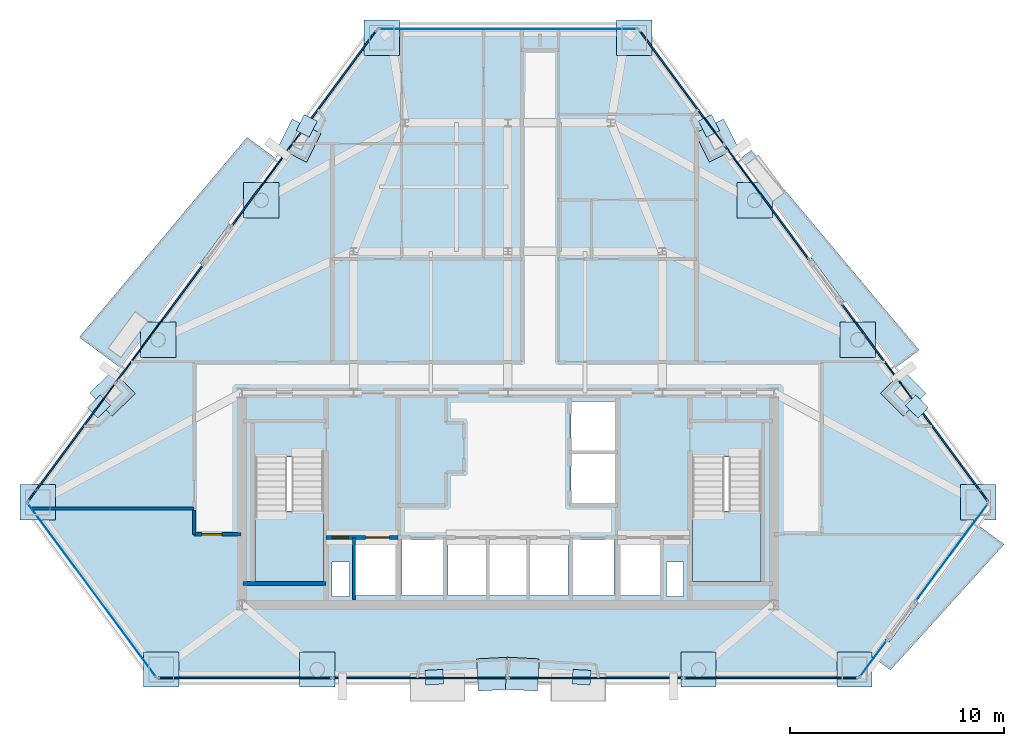
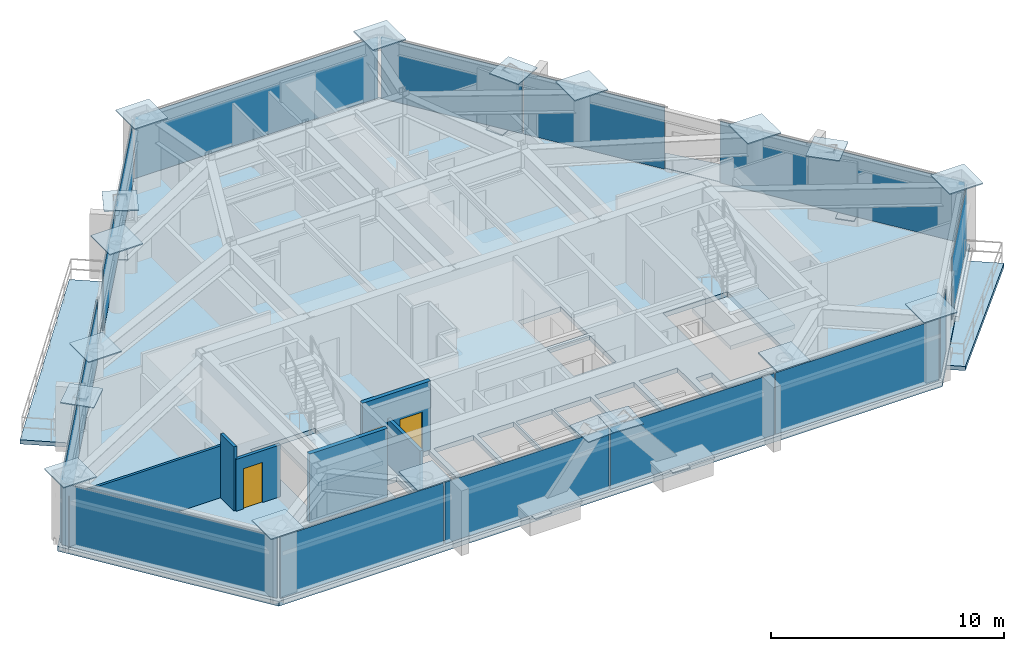
# One storey, part 6 of 11: 38 plates, 6 slabs, 6 walls, 3 doors, 3 openings, 11 elements without a shape of their own.
"""IFC4 building model written with IfcOpenShell, lengths in metres."""

from ifc_helpers import new_model, si_unit, direction, frame, frame_2d, origin, origin_2d, place, context, subcontext, project, spatial, polyline, rectangle, outline, extrude, source, transform, mapped, material, layer, layer_set, type_object, type_shapes, element, fill, aggregate, save


model = new_model("IFC4")

# Units and contexts
model_context = context("Model", 3, precision=1e-05, world=origin(), true_north=direction((0.0, 1.0)))
body_context = subcontext(model_context, "Body", "Model", "MODEL_VIEW")
ifc_project = project(units=[si_unit("LENGTHUNIT", "METRE"), si_unit("AREAUNIT", "SQUARE_METRE"), si_unit("VOLUMEUNIT", "CUBIC_METRE"), si_unit("PLANEANGLEUNIT", "RADIAN"), si_unit("MASSUNIT", "GRAM", prefix="KILO")], contexts=[model_context])

# Site, building, storey
site_placement = place(None, origin())
site = spatial("IfcSite", under=ifc_project, at=site_placement, CompositionType="ELEMENT")
building_placement = place(site_placement, origin())
building = spatial("IfcBuilding", under=site, at=building_placement, Name="Talgorran Terracotta Tower", CompositionType="ELEMENT")
storey_placement = place(building_placement, frame((0.0, 0.0, 110.39990234375)))
storey = spatial("IfcBuildingStorey", under=building, at=storey_placement, Name="L28", CompositionType="ELEMENT", Elevation=110.39990234375)

# Plates
ifc_material_1 = material(Name="Steel Grade 350 (350L0)", Category="steel")
ifc_layer_1 = layer(ifc_material_1, 0.035888671875, Name="PL_CAP_MN06")
ifc_layer_set_1 = layer_set([ifc_layer_1], Name="Steel Grade 350 (350L0)")
plate_type_1 = type_object("IfcPlateType", Name="PL_CAP_MN06", PredefinedType="USERDEFINED", material=ifc_layer_set_1)
for number, where, z_axis, x_axis, name in (
    (1, (-3.43310546875, -17.4677734375, -0.0078125), (0.0, 0.0, 1.0), (0.998629534755, 0.052335956243, 0.0), "L28 Diagonal Frame End Cap SWF Bot"),
    (2, (3.43310546875, -17.4677734375, -0.0078125), (0.0, 0.0, 1.0), (-0.998629534755, 0.052335956243, 0.0), "L28 Diagonal Frame End Cap SEF Bot"),
    (3, (19.071044921875, -4.841796875, -0.0078125), (0.0, 0.0, 1.0), (-0.711903486321, 0.702277314289, 0.0), "L28 Diagonal Frame End Cap NEL Bot"),
    (4, (9.382568359375, 8.24853515625, -0.0078125), (0.0, 0.0, 1.0), (0.448695198283, -0.89368485443, 0.0), "L28 Diagonal Frame End Cap NEU Bot"),
    (5, (-9.382568359375, 8.24853515625, -0.0078125), (0.0, 0.0, 1.0), (-0.448695198283, -0.89368485443, 0.0), "L28 Diagonal Frame End Cap NWU Bot"),
    (6, (-19.071044921875, -4.841796875, -0.0078125), (0.0, 0.0, 1.0), (0.711903486321, 0.702277314289, 0.0), "L28 Diagonal Frame End Cap NWL Bot"),
):
    element("IfcPlate", number, at=place(storey_placement, frame(where, z_axis=z_axis, x_axis=x_axis)), inside=storey, type_object=plate_type_1, Name=name, ObjectType="CAP PLATE", PredefinedType="USERDEFINED", context=body_context, shape_type="SweptSolid", body=[
        extrude(rectangle(XDim=0.840087890625, YDim=0.679931640625, at=origin_2d()), origin(), (0.0, 0.0, 1.0), 0.035888671875),
    ])
ifc_layer_2 = layer(ifc_material_1, 0.06005859375, Name="PL_NODE_MN01")
ifc_layer_set_2 = layer_set([ifc_layer_2], Name="Steel Grade 350 (350L0)")
plate_type_2 = type_object("IfcPlateType", Name="PL_NODE_MN01", PredefinedType="USERDEFINED", material=ifc_layer_set_2)
for number, where, z_axis, x_axis, name in (
    (7, (-21.934326171875, -9.315673828125, 3.5849609375), (0.0, 0.0, 1.0), (1.0, 0.0, 0.0), "L28 Mega-Column Cap Plate MC1"),
    (8, (-16.1669921875, -17.10791015625, 3.5849609375), (0.0, 0.0, 1.0), (1.0, 0.0, 0.0), "L28 Mega-Column Cap Plate MC2"),
    (9, (16.1669921875, -17.10791015625, 3.5849609375), (0.0, 0.0, 1.0), (1.0, 0.0, 0.0), "L28 Mega-Column Cap Plate MC3"),
    (10, (21.934326171875, -9.315673828125, 3.5849609375), (0.0, 0.0, 1.0), (1.0, 0.0, 0.0), "L28 Mega-Column Cap Plate MC4"),
    (11, (5.889892578125, 12.3623046875, 3.5849609375), (0.0, 0.0, 1.0), (1.0, 0.0, 0.0), "L28 Mega-Column Cap Plate MC5"),
    (12, (-5.889892578125, 12.3623046875, 3.5849609375), (0.0, 0.0, 1.0), (1.0, 0.0, 0.0), "L28 Mega-Column Cap Plate MC6"),
    (13, (-8.891845703125, -17.10791015625, 3.5849609375), (0.0, 0.0, 1.0), (1.0, 0.0, 0.0), "L28 Facet Column Cap Plate FC1"),
    (14, (8.891845703125, -17.10791015625, 3.5849609375), (0.0, 0.0, 1.0), (1.0, 0.0, 0.0), "L28 Facet Column Cap Plate FC2"),
    (15, (16.31884765625, -1.728515625, 3.5849609375), (0.0, 0.0, 1.0), (1.0, 0.0, 0.0), "L28 Facet Column Cap Plate FC3"),
    (16, (11.505615234375, 4.77490234375, 3.5849609375), (0.0, 0.0, 1.0), (1.0, 0.0, 0.0), "L28 Facet Column Cap Plate FC4"),
    (17, (-11.505615234375, 4.77490234375, 3.5849609375), (0.0, 0.0, 1.0), (1.0, 0.0, 0.0), "L28 Facet Column Cap Plate FC5"),
    (18, (-16.31884765625, -1.728515625, 3.5849609375), (0.0, 0.0, 1.0), (1.0, 0.0, 0.0), "L28 Facet Column Cap Plate FC6"),
):
    element("IfcPlate", number, at=place(storey_placement, frame(where, z_axis=z_axis, x_axis=x_axis)), inside=storey, type_object=plate_type_2, Name=name, ObjectType="NODE PLATE", PredefinedType="USERDEFINED", context=body_context, shape_type="SweptSolid", body=[
        extrude(rectangle(XDim=1.64990234375, YDim=1.64990234375, at=origin_2d()), origin(), (0.0, 0.0, 1.0), 0.06005859375),
    ])
ifc_layer_3 = layer(ifc_material_1, 0.054931640625, Name="PL_NODE_MN02")
ifc_layer_set_3 = layer_set([ifc_layer_3], Name="Steel Grade 350 (350L0)")
plate_type_3 = type_object("IfcPlateType", Name="PL_NODE_MN02", PredefinedType="USERDEFINED", material=ifc_layer_set_3)
for number, where, z_axis, x_axis, name in (
    (19, (-0.672119140625, -17.3232421875, 3.3125), (0.0, 0.0, 1.0), (0.998629534755, 0.052335956243, 0.0), "L28 Diagonal Frame End Cap SWF Top"),
    (20, (0.672119140625, -17.3232421875, 3.3125), (0.0, 0.0, 1.0), (-0.998629534755, 0.052335956243, 0.0), "L28 Diagonal Frame End Cap SEF Top"),
    (21, (18.443359375, -4.22265625, 3.3125), (0.0, 0.0, 1.0), (-0.711903486321, 0.702277314289, 0.0), "L28 Diagonal Frame End Cap NEL Top"),
    (22, (9.72705078125, 7.5625, 3.3125), (0.0, 0.0, 1.0), (0.448695198283, -0.89368485443, 0.0), "L28 Diagonal Frame End Cap NEU Top"),
    (23, (-9.72705078125, 7.5625, 3.3125), (0.0, 0.0, 1.0), (-0.448695198283, -0.89368485443, 0.0), "L28 Diagonal Frame End Cap NWU Top"),
    (24, (-18.443359375, -4.22265625, 3.3125), (0.0, 0.0, 1.0), (0.711903486321, 0.702277314289, 0.0), "L28 Diagonal Frame End Cap NWL Top"),
):
    element("IfcPlate", number, at=place(storey_placement, frame(where, z_axis=z_axis, x_axis=x_axis)), inside=storey, type_object=plate_type_3, Name=name, ObjectType="NODE PLATE", PredefinedType="USERDEFINED", context=body_context, shape_type="SweptSolid", body=[
        extrude(rectangle(XDim=1.5, YDim=1.5, at=origin_2d()), origin(), (0.0, 0.0, 1.0), 0.054931640625),
    ])

# Slabs
ifc_material_2 = material(Name="Concrete C40/50", Category="concrete")
ifc_layer_4 = layer(ifc_material_2, 0.219970703125, Name="SL_BALCONY_220")
ifc_layer_set_4 = layer_set([ifc_layer_4], Name="Concrete C40/50")
slab_type_1 = type_object("IfcSlabType", Name="SL_BALCONY_220", PredefinedType="FLOOR", material=ifc_layer_set_4)
slab_1_placement = place(storey_placement, frame((0.0, 0.0, -0.219970703125)))
element("IfcSlab", 25, at=slab_1_placement, inside=storey, type_object=slab_type_1, Name="L28 Outdoor Wave Balcony BAL-NE", PredefinedType="FLOOR", context=body_context, shape_type="SweptSolid", body=[
    extrude(outline(polyline([(10.764404296875, 6.67578125), (17.9931640625, -3.09130859375), (19.177978515625, -2.214111328125), (11.35400390625, 7.1123046875), (10.764404296875, 6.67578125)])), origin(), (0.0, 0.0, 1.0), 0.219970703125),
])
slab_2_placement = place(storey_placement, frame((0.0, 0.0, -0.219970703125)))
element("IfcSlab", 26, at=slab_2_placement, inside=storey, type_object=slab_type_1, Name="L28 Outdoor Wave Balcony BAL-NW", PredefinedType="FLOOR", context=body_context, shape_type="SweptSolid", body=[
    extrude(outline(polyline([(-17.9931640625, -3.09130859375), (-10.764404296875, 6.67578125), (-12.16748046875, 7.71435546875), (-19.99169921875, -1.6123046875), (-17.9931640625, -3.09130859375)])), origin(), (0.0, 0.0, 1.0), 0.219970703125),
])
slab_3_placement = place(storey_placement, frame((0.0, 0.0, -0.219970703125)))
element("IfcSlab", 27, at=slab_3_placement, inside=storey, type_object=slab_type_1, Name="L28 Outdoor Wave Balcony BAL-SE", PredefinedType="FLOOR", context=body_context, shape_type="SweptSolid", body=[
    extrude(outline(polyline([(21.85498046875, -10.322021484375), (17.179443359375, -16.639404296875), (17.84326171875, -17.130615234375), (23.139404296875, -11.2724609375), (21.85498046875, -10.322021484375)])), origin(), (0.0, 0.0, 1.0), 0.219970703125),
])

# Stair, slab
stair_type = type_object("IfcStairType", Name="ST_FIRE_SCISSOR", PredefinedType="HALF_TURN_STAIR", material=ifc_material_2)
stair_1_placement = place(storey_placement, origin())
stair_1 = element("IfcStair", 28, at=stair_1_placement, inside=storey, type_object=stair_type, Name="L28 West Protected Fire Stair ST-01", PredefinedType="HALF_TURN_STAIR")
ifc_layer_5 = layer(ifc_material_2, 0.199951171875, Name="SL_LANDING_200")
ifc_layer_set_5 = layer_set([ifc_layer_5], Name="Concrete C40/50")
slab_type_2 = type_object("IfcSlabType", Name="SL_LANDING_200", PredefinedType="LANDING", material=ifc_layer_set_5)
slab_4_placement = place(storey_placement, frame((0.0, 0.0, 1.60009765625)))
slab_4 = element("IfcSlab", 29, at=slab_4_placement, type_object=slab_type_2, Name="ST-01 landing 1", PredefinedType="LANDING", context=body_context, shape_type="SweptSolid", body=[
    extrude(outline(polyline([(-11.800048828125, -9.719970703125), (-11.800048828125, -13.0), (-8.60009765625, -13.0), (-8.60009765625, -9.719970703125), (-11.800048828125, -9.719970703125)])), origin(), (0.0, 0.0, 1.0), 0.199951171875),
])
aggregate(stair_1, [slab_4])

stair_2_placement = place(storey_placement, origin())
stair_2 = element("IfcStair", 30, at=stair_2_placement, inside=storey, type_object=stair_type, Name="L28 East Protected Fire Stair ST-02", PredefinedType="HALF_TURN_STAIR")
slab_5_placement = place(storey_placement, frame((0.0, 0.0, 1.60009765625)))
slab_5 = element("IfcSlab", 31, at=slab_5_placement, type_object=slab_type_2, Name="ST-02 landing 1", PredefinedType="LANDING", context=body_context, shape_type="SweptSolid", body=[
    extrude(outline(polyline([(8.60009765625, -9.719970703125), (8.60009765625, -13.0), (11.800048828125, -13.0), (11.800048828125, -9.719970703125), (8.60009765625, -9.719970703125)])), origin(), (0.0, 0.0, 1.0), 0.199951171875),
])
aggregate(stair_2, [slab_5])

# Slab
ifc_layer_6 = layer(ifc_material_2, 0.25, Name="SL_TOWER_250")
ifc_layer_set_6 = layer_set([ifc_layer_6], Name="Concrete C40/50")
slab_type_3 = type_object("IfcSlabType", Name="SL_TOWER_250", PredefinedType="FLOOR", material=ifc_layer_set_6)
slab_6_placement = place(storey_placement, frame((0.0, 0.0, -0.25)))
element("IfcSlab", 32, at=slab_6_placement, inside=storey, type_object=slab_type_3, Name="Storey L28 Structural Floor Slab", PredefinedType="FLOOR", context=body_context, shape_type="SweptSolid", body=[
    extrude(outline(polyline([(-22.581298828125, -9.315673828125), (-16.42919921875, -17.627685546875), (16.42919921875, -17.627685546875), (22.581298828125, -9.315673828125), (6.152099609375, 12.882080078125), (-6.152099609375, 12.882080078125), (-22.581298828125, -9.315673828125)]), holes=[polyline([(-11.800048828125, -7.199951171875), (-11.800048828125, -13.0), (-8.60009765625, -13.0), (-8.60009765625, -7.199951171875), (-11.800048828125, -7.199951171875)]), polyline([(8.60009765625, -7.199951171875), (8.60009765625, -13.0), (11.800048828125, -13.0), (11.800048828125, -7.199951171875), (8.60009765625, -7.199951171875)]), polyline([(-7.10009765625, -13.64990234375), (-5.199951171875, -13.64990234375), (-5.199951171875, -11.050048828125), (-7.10009765625, -11.050048828125), (-7.10009765625, -13.64990234375)]), polyline([(5.199951171875, -13.64990234375), (7.10009765625, -13.64990234375), (7.10009765625, -11.050048828125), (5.199951171875, -11.050048828125), (5.199951171875, -13.64990234375)]), polyline([(3.0, -13.64990234375), (4.949951171875, -13.64990234375), (4.949951171875, -11.050048828125), (3.0, -11.050048828125), (3.0, -13.64990234375)]), polyline([(-4.949951171875, -13.64990234375), (-3.0, -13.64990234375), (-3.0, -11.050048828125), (-4.949951171875, -11.050048828125), (-4.949951171875, -13.64990234375)]), polyline([(2.949951171875, -9.35009765625), (5.050048828125, -9.35009765625), (5.050048828125, -7.050048828125), (2.949951171875, -7.050048828125), (2.949951171875, -9.35009765625)]), polyline([(2.949951171875, -6.89990234375), (5.050048828125, -6.89990234375), (5.050048828125, -4.60009765625), (2.949951171875, -4.60009765625), (2.949951171875, -6.89990234375)]), polyline([(-2.800048828125, -13.64990234375), (-1.0, -13.64990234375), (-1.0, -11.050048828125), (-2.800048828125, -11.050048828125), (-2.800048828125, -13.64990234375)]), polyline([(-0.89990234375, -13.64990234375), (0.89990234375, -13.64990234375), (0.89990234375, -11.050048828125), (-0.89990234375, -11.050048828125), (-0.89990234375, -13.64990234375)]), polyline([(1.0, -13.64990234375), (2.800048828125, -13.64990234375), (2.800048828125, -11.050048828125), (1.0, -11.050048828125), (1.0, -13.64990234375)]), polyline([(-8.199951171875, -13.699951171875), (-7.39990234375, -13.699951171875), (-7.39990234375, -12.10009765625), (-8.199951171875, -12.10009765625), (-8.199951171875, -13.699951171875)]), polyline([(7.39990234375, -13.699951171875), (8.199951171875, -13.699951171875), (8.199951171875, -12.10009765625), (7.39990234375, -12.10009765625), (7.39990234375, -13.699951171875)])]), origin(), (0.0, 0.0, 1.0), 0.25),
])

# Curtain wall, plate
ifc_material_3 = material(Name="Unitised Low-E Double Glazing", Category="glass")
ifc_layer_7 = layer(ifc_material_3, 0.199951171875, Name="CW_SYS2_RES_LOW")
ifc_layer_set_7 = layer_set([ifc_layer_7], Name="Unitised Low-E Double Glazing")
curtain_wall_type = type_object("IfcCurtainWallType", Name="CW_SYS2_RES_LOW", PredefinedType="NOTDEFINED", material=ifc_layer_set_7)
curtain_wall_1_placement = place(storey_placement, origin())
curtain_wall_1 = element("IfcCurtainWall", 33, at=curtain_wall_1_placement, inside=storey, type_object=curtain_wall_type, Name="CW-L28-F0", PredefinedType="NOTDEFINED")
ifc_material_4 = material(Name="Low-E Laminated Vision Glass", Category="glass")
ifc_layer_8 = layer(ifc_material_4, 0.028076171875, Name="PLT_VISION_28")
ifc_layer_set_8 = layer_set([ifc_layer_8], Name="Low-E Laminated Vision Glass")
plate_type_4 = type_object("IfcPlateType", Name="PLT_VISION_28", PredefinedType="CURTAIN_PANEL", material=ifc_layer_set_8)
shared_shape_1 = source(origin(), body_context, "Body", "SweptSolid", [
    extrude(rectangle(XDim=10.06201171875, YDim=0.028076171875, at=origin_2d()), origin(), (0.0, 0.0, 1.0), 3.219970703125),
])
plate_1_placement = place(storey_placement, frame((-19.400146484375, -13.41162109375, 0.06494140625), z_axis=(0.0, 0.0, 1.0), x_axis=(0.594910967294, -0.803791602963, 0.0)))
plate_1 = element("IfcPlate", 34, at=plate_1_placement, type_object=plate_type_4, Name="CW-L28-0 panel 1.1", PredefinedType="CURTAIN_PANEL", context=body_context, shape_type="MappedRepresentation", body=[
    mapped(shared_shape_1, transform((0.0, 0.0, 0.0), scale=1.0)),
])
aggregate(curtain_wall_1, [plate_1])

curtain_wall_2_placement = place(storey_placement, origin())
curtain_wall_2 = element("IfcCurtainWall", 35, at=curtain_wall_2_placement, inside=storey, type_object=curtain_wall_type, Name="CW-L28-F4", PredefinedType="NOTDEFINED")
shared_shape_2 = source(origin(), body_context, "Body", "SweptSolid", [
    extrude(rectangle(XDim=12.05322265625, YDim=0.028076171875, at=origin_2d()), origin(), (0.0, 0.0, 1.0), 3.219970703125),
])
plate_2_placement = place(storey_placement, frame((0.0, 12.76220703125, 0.06494140625), z_axis=(0.0, 0.0, 1.0), x_axis=(-1.0, 0.0, 0.0)))
plate_2 = element("IfcPlate", 36, at=plate_2_placement, type_object=plate_type_4, Name="CW-L28-4 panel 1.1", PredefinedType="CURTAIN_PANEL", context=body_context, shape_type="MappedRepresentation", body=[
    mapped(shared_shape_2, transform((0.0, 0.0, 0.0), scale=1.0)),
])
aggregate(curtain_wall_2, [plate_2])

curtain_wall_3_placement = place(storey_placement, origin())
curtain_wall_3 = element("IfcCurtainWall", 37, at=curtain_wall_3_placement, inside=storey, type_object=curtain_wall_type, Name="CW-L28-F30", PredefinedType="NOTDEFINED")
shared_shape_3 = source(origin(), body_context, "Body", "SweptSolid", [
    extrude(rectangle(XDim=2.079833984375, YDim=0.028076171875, at=origin_2d()), origin(), (0.0, 0.0, 1.0), 3.219970703125),
])
plate_3_placement = place(storey_placement, frame((17.0498046875, -16.58740234375, 0.06494140625), z_axis=(0.0, 0.0, 1.0), x_axis=(0.594912592839, 0.803790399844, 0.0)))
plate_3 = element("IfcPlate", 38, at=plate_3_placement, type_object=plate_type_4, Name="CW-L28-30 panel 1.1", PredefinedType="CURTAIN_PANEL", context=body_context, shape_type="MappedRepresentation", body=[
    mapped(shared_shape_3, transform((0.0, 0.0, 0.0), scale=1.0)),
])
aggregate(curtain_wall_3, [plate_3])

curtain_wall_4_placement = place(storey_placement, origin())
curtain_wall_4 = element("IfcCurtainWall", 39, at=curtain_wall_4_placement, inside=storey, type_object=curtain_wall_type, Name="CW-L28-F31", PredefinedType="NOTDEFINED")
shared_shape_4 = source(origin(), body_context, "Body", "SweptSolid", [
    extrude(rectangle(XDim=5.612060546875, YDim=0.028076171875, at=origin_2d()), origin(), (0.0, 0.0, 1.0), 3.219970703125),
])
type_shapes(plate_type_4, [shared_shape_1, shared_shape_2, shared_shape_3, shared_shape_4])
plate_4_placement = place(storey_placement, frame((20.7001953125, -11.655517578125, 0.06494140625), z_axis=(0.0, 0.0, 1.0), x_axis=(0.594910972512, 0.8037915991, 0.0)))
plate_4 = element("IfcPlate", 40, at=plate_4_placement, type_object=plate_type_4, Name="CW-L28-31 panel 1.1", PredefinedType="CURTAIN_PANEL", context=body_context, shape_type="MappedRepresentation", body=[
    mapped(shared_shape_4, transform((0.0, 0.0, 0.0), scale=1.0)),
])
aggregate(curtain_wall_4, [plate_4])

# Curtain wall, plates
curtain_wall_5_placement = place(storey_placement, origin())
curtain_wall_5 = element("IfcCurtainWall", 41, at=curtain_wall_5_placement, inside=storey, type_object=curtain_wall_type, Name="CW-L28-F1", PredefinedType="NOTDEFINED")
ifc_material_5 = material(Name="Terracotta Insulated Spandrel", Category="masonry")
ifc_layer_9 = layer(ifc_material_5, 0.06494140625, Name="PLT_SPANDREL_TERRA")
ifc_layer_set_9 = layer_set([ifc_layer_9], Name="Terracotta Insulated Spandrel")
plate_type_5 = type_object("IfcPlateType", Name="PLT_SPANDREL_TERRA", PredefinedType="SHEET", material=ifc_layer_set_9)
shared_shape_5 = source(origin(), body_context, "Body", "SweptSolid", [
    extrude(rectangle(XDim=8.0869140625, YDim=0.06494140625, at=origin_2d()), origin(), (0.0, 0.0, 1.0), 3.219970703125),
])
plate_5_placement = place(storey_placement, frame((-12.26025390625, -17.5078125, 0.06494140625), z_axis=(0.0, 0.0, 1.0), x_axis=(1.0, 0.0, 0.0)))
plate_5 = element("IfcPlate", 42, at=plate_5_placement, type_object=plate_type_5, Name="CW-L28-1 panel 1.1", PredefinedType="CURTAIN_PANEL", context=body_context, shape_type="MappedRepresentation", body=[
    mapped(shared_shape_5, transform((0.0, 0.0, 0.0), scale=1.0)),
])
plate_6_placement = place(storey_placement, frame((12.26025390625, -17.5078125, 0.06494140625), z_axis=(0.0, 0.0, 1.0), x_axis=(1.0, 0.0, 0.0)))
plate_6 = element("IfcPlate", 43, at=plate_6_placement, type_object=plate_type_5, Name="CW-L28-1 panel 4.1", PredefinedType="CURTAIN_PANEL", context=body_context, shape_type="MappedRepresentation", body=[
    mapped(shared_shape_5, transform((0.0, 0.0, 0.0), scale=1.0)),
])
shared_shape_6 = source(origin(), body_context, "Body", "SweptSolid", [
    extrude(rectangle(XDim=8.119384765625, YDim=0.06494140625, at=origin_2d()), origin(), (0.0, 0.0, 1.0), 3.219970703125),
])
plate_7_placement = place(storey_placement, frame((-4.092041015625, -17.5078125, 0.06494140625), z_axis=(0.0, 0.0, 1.0), x_axis=(1.0, 0.0, 0.0)))
plate_7 = element("IfcPlate", 44, at=plate_7_placement, type_object=plate_type_5, Name="CW-L28-1 panel 2.1", PredefinedType="CURTAIN_PANEL", context=body_context, shape_type="MappedRepresentation", body=[
    mapped(shared_shape_6, transform((0.0, 0.0, 0.0), scale=1.0)),
])
plate_8_placement = place(storey_placement, frame((4.092041015625, -17.5078125, 0.06494140625), z_axis=(0.0, 0.0, 1.0), x_axis=(1.0, 0.0, 0.0)))
plate_8 = element("IfcPlate", 45, at=plate_8_placement, type_object=plate_type_5, Name="CW-L28-1 panel 3.1", PredefinedType="CURTAIN_PANEL", context=body_context, shape_type="MappedRepresentation", body=[
    mapped(shared_shape_6, transform((0.0, 0.0, 0.0), scale=1.0)),
])
aggregate(curtain_wall_5, [plate_5, plate_7, plate_8, plate_6])

# Curtain wall, plate
curtain_wall_6_placement = place(storey_placement, origin())
curtain_wall_6 = element("IfcCurtainWall", 46, at=curtain_wall_6_placement, inside=storey, type_object=curtain_wall_type, Name="CW-L28-F40", PredefinedType="NOTDEFINED")
shared_shape_7 = source(origin(), body_context, "Body", "SweptSolid", [
    extrude(rectangle(XDim=11.422119140625, YDim=0.06494140625, at=origin_2d()), origin(), (0.0, 0.0, 1.0), 3.219970703125),
])
plate_9_placement = place(storey_placement, frame((18.971923828125, -4.640625, 0.06494140625), z_axis=(0.0, 0.0, 1.0), x_axis=(-0.594906209791, 0.803795124116, 0.0)))
plate_9 = element("IfcPlate", 47, at=plate_9_placement, type_object=plate_type_5, Name="CW-L28-40 panel 1.1", PredefinedType="CURTAIN_PANEL", context=body_context, shape_type="MappedRepresentation", body=[
    mapped(shared_shape_7, transform((0.0, 0.0, 0.0), scale=1.0)),
])
aggregate(curtain_wall_6, [plate_9])

# Curtain wall, plates
curtain_wall_7_placement = place(storey_placement, origin())
curtain_wall_7 = element("IfcCurtainWall", 48, at=curtain_wall_7_placement, inside=storey, type_object=curtain_wall_type, Name="CW-L28-F41", PredefinedType="NOTDEFINED")
shared_shape_8 = source(origin(), body_context, "Body", "SweptSolid", [
    extrude(rectangle(XDim=6.58984375, YDim=0.06494140625, at=origin_2d()), origin(), (0.0, 0.0, 1.0), 3.219970703125),
])
plate_10_placement = place(storey_placement, frame((12.0732421875, 4.68017578125, 0.06494140625), z_axis=(0.0, 0.0, 1.0), x_axis=(-0.594908514199, 0.803793418568, 0.0)))
plate_10 = element("IfcPlate", 49, at=plate_10_placement, type_object=plate_type_5, Name="CW-L28-41 panel 1.1", PredefinedType="CURTAIN_PANEL", context=body_context, shape_type="MappedRepresentation", body=[
    mapped(shared_shape_8, transform((0.0, 0.0, 0.0), scale=1.0)),
])
plate_11_placement = place(storey_placement, frame((8.1142578125, 10.029296875, 0.06494140625), z_axis=(0.0, 0.0, 1.0), x_axis=(-0.594908514199, 0.803793418568, 0.0)))
plate_11 = element("IfcPlate", 50, at=plate_11_placement, type_object=plate_type_5, Name="CW-L28-41 panel 2.1", PredefinedType="CURTAIN_PANEL", context=body_context, shape_type="MappedRepresentation", body=[
    mapped(shared_shape_8, transform((0.0, 0.0, 0.0), scale=1.0)),
])
aggregate(curtain_wall_7, [plate_10, plate_11])

# Curtain wall, plate
curtain_wall_8_placement = place(storey_placement, origin())
curtain_wall_8 = element("IfcCurtainWall", 51, at=curtain_wall_8_placement, inside=storey, type_object=curtain_wall_type, Name="CW-L28-F60", PredefinedType="NOTDEFINED")
shared_shape_9 = source(origin(), body_context, "Body", "SweptSolid", [
    extrude(rectangle(XDim=11.308349609375, YDim=0.06494140625, at=origin_2d()), origin(), (0.0, 0.0, 1.0), 3.219970703125),
])
plate_12_placement = place(storey_placement, frame((-9.517822265625, 8.1328125, 0.06494140625), z_axis=(0.0, 0.0, 1.0), x_axis=(-0.594904690982, -0.803796248217, 0.0)))
plate_12 = element("IfcPlate", 52, at=plate_12_placement, type_object=plate_type_5, Name="CW-L28-60 panel 1.1", PredefinedType="CURTAIN_PANEL", context=body_context, shape_type="MappedRepresentation", body=[
    mapped(shared_shape_9, transform((0.0, 0.0, 0.0), scale=1.0)),
])
aggregate(curtain_wall_8, [plate_12])

# Curtain wall, plates
curtain_wall_9_placement = place(storey_placement, origin())
curtain_wall_9 = element("IfcCurtainWall", 53, at=curtain_wall_9_placement, inside=storey, type_object=curtain_wall_type, Name="CW-L28-F61", PredefinedType="NOTDEFINED")
shared_shape_10 = source(origin(), body_context, "Body", "SweptSolid", [
    extrude(rectangle(XDim=6.796630859375, YDim=0.06494140625, at=origin_2d()), origin(), (0.0, 0.0, 1.0), 3.219970703125),
])
type_shapes(plate_type_5, [shared_shape_5, shared_shape_6, shared_shape_7, shared_shape_8, shared_shape_9, shared_shape_10])
plate_13_placement = place(storey_placement, frame((-16.265625, -0.984130859375, 0.06494140625), z_axis=(0.0, 0.0, 1.0), x_axis=(-0.594912359919, -0.803790572236, 0.0)))
plate_13 = element("IfcPlate", 54, at=plate_13_placement, type_object=plate_type_5, Name="CW-L28-61 panel 1.1", PredefinedType="CURTAIN_PANEL", context=body_context, shape_type="MappedRepresentation", body=[
    mapped(shared_shape_10, transform((0.0, 0.0, 0.0), scale=1.0)),
])
plate_14_placement = place(storey_placement, frame((-20.34765625, -6.49951171875, 0.06494140625), z_axis=(0.0, 0.0, 1.0), x_axis=(-0.594912359919, -0.803790572236, 0.0)))
plate_14 = element("IfcPlate", 55, at=plate_14_placement, type_object=plate_type_5, Name="CW-L28-61 panel 2.1", PredefinedType="CURTAIN_PANEL", context=body_context, shape_type="MappedRepresentation", body=[
    mapped(shared_shape_10, transform((0.0, 0.0, 0.0), scale=1.0)),
])
aggregate(curtain_wall_9, [plate_13, plate_14])

# Wall
ifc_material_6 = material(Name="Concrete C50/60", Category="concrete")
ifc_layer_10 = layer(ifc_material_6, 0.199951171875, Name="WT_CORE_200")
ifc_layer_set_10 = layer_set([ifc_layer_10], Name="Concrete C50/60")
wall_type_1 = type_object("IfcWallType", Name="WT_CORE_200", PredefinedType="SOLIDWALL", material=ifc_layer_set_10)
wall_1_placement = place(storey_placement, frame((-12.35009765625, -13.10009765625, 0.0), z_axis=(0.0, 0.0, 1.0), x_axis=(1.0, 0.0, 0.0)))
element("IfcWall", 56, at=wall_1_placement, inside=storey, type_object=wall_type_1, Name="WL-L28-CW-ST1-S", PredefinedType="SOLIDWALL", context=body_context, shape_type="SweptSolid", body=[
    extrude(rectangle(XDim=3.8701171875, YDim=0.199951171875, at=frame_2d((1.93505859375, 0.0))), origin(), (0.0, 0.0, 1.0), 3.60009765625),
])

# Wall, openings, doors
wall_2_placement = place(storey_placement, frame((-8.47998046875, -10.949951171875, 0.0), z_axis=(0.0, 0.0, 1.0), x_axis=(1.0, 0.0, 0.0)))
wall_2 = element("IfcWall", 57, at=wall_2_placement, inside=storey, type_object=wall_type_1, Name="WL-L28-CW-H-SBW", PredefinedType="SOLIDWALL", context=body_context, shape_type="SweptSolid", body=[
    extrude(rectangle(XDim=3.35986328125, YDim=0.199951171875, at=frame_2d((1.679931640625, 0.0))), origin(), (0.0, 0.0, 1.0), 3.60009765625),
])
opening_1_placement = place(wall_2_placement, frame((0.280029296875, 0.0, 0.0)))
opening_1 = element("IfcOpeningElement", 58, at=opening_1_placement, cuts=wall_2, Name="Opening DR-RSW", PredefinedType="OPENING", context=body_context, shape_type="SweptSolid", body=[
    extrude(rectangle(XDim=0.756, YDim=2.054048828125, at=frame_2d((0.375, 1.027099609375))), frame((0.0, 0.10986328125, 0.0), z_axis=(0.0, -1.0, 0.0), x_axis=(1.0, 0.0, 0.0)), (0.0, 0.0, 1.0), 0.219970703125),
])
opening_2_placement = place(wall_2_placement, frame((1.85009765625, 0.0, 0.0)))
opening_2 = element("IfcOpeningElement", 59, at=opening_2_placement, cuts=wall_2, Name="Opening LD-FFL1", PredefinedType="OPENING", context=body_context, shape_type="SweptSolid", body=[
    extrude(rectangle(XDim=1.10609765625, YDim=2.10409765625, at=frame_2d((0.550048828125, 1.052001953125))), frame((0.0, 0.10986328125, 0.0), z_axis=(0.0, -1.0, 0.0), x_axis=(1.0, 0.0, 0.0)), (0.0, 0.0, 1.0), 0.219970703125),
])
ifc_material_7 = material(Name="Brushed Stainless Steel Grade 304", Category="steel")
door_type_1 = type_object("IfcDoorType", Name="DT_LIFT_LD1100", OperationType="DOUBLE_DOOR_SLIDING", PredefinedType="DOOR", material=ifc_material_7)
door_1_placement = place(opening_2_placement, origin())
door_1 = element("IfcDoor", 60, at=door_1_placement, inside=storey, type_object=door_type_1, Name="L28 Lift Landing Door LD-FFL1", OperationType="DOUBLE_DOOR_SLIDING", OverallHeight=2.10009765625, OverallWidth=1.10009765625, PredefinedType="DOOR", context=body_context, shape_type="SweptSolid", body=[
    extrude(rectangle(XDim=1.10009765625, YDim=2.10009765625, at=frame_2d((0.550048828125, 1.050048828125))), frame((0.0, 0.02490234375, 0.0), z_axis=(0.0, -1.0, 0.0), x_axis=(1.0, 0.0, 0.0)), (0.0, 0.0, 1.0), 0.050048828125),
])
fill(opening_2, door_1)
ifc_material_8 = material(Name="Fire-Rated Pressed Steel", Category="steel")
door_type_2 = type_object("IfcDoorType", Name="DT_RISER_750", OperationType="NOTDEFINED", PredefinedType="DOOR", material=ifc_material_8)
door_2_placement = place(opening_1_placement, origin())
door_2 = element("IfcDoor", 61, at=door_2_placement, inside=storey, type_object=door_type_2, Name="DR-RSW", OperationType="SINGLE_SWING_LEFT", OverallHeight=2.050048828125, OverallWidth=0.75, PredefinedType="DOOR", context=body_context, shape_type="SweptSolid", body=[
    extrude(rectangle(XDim=0.75, YDim=2.050048828125, at=frame_2d((0.375, 1.02490234375))), frame((0.0, 0.02490234375, 0.0), z_axis=(0.0, -1.0, 0.0), x_axis=(1.0, 0.0, 0.0)), (0.0, 0.0, 1.0), 0.050048828125),
])
fill(opening_1, door_2)

# Wall, opening, door
ifc_material_9 = material(Name="Fire-Rated Steel Stud Plasterboard", Category="steel")
ifc_layer_11 = layer(ifc_material_9, 0.14990234375, Name="WT_FIRE_150")
ifc_layer_set_11 = layer_set([ifc_layer_11], Name="Fire-Rated Steel Stud Plasterboard")
wall_type_2 = type_object("IfcWallType", Name="WT_FIRE_150", PredefinedType="PARTITIONING", material=ifc_layer_set_11)
wall_3_placement = place(storey_placement, frame((-14.639892578125, -10.800048828125, 0.0), z_axis=(0.0, 0.0, 1.0), x_axis=(1.0, 0.0, 0.0)))
wall_3 = element("IfcWall", 62, at=wall_3_placement, inside=storey, type_object=wall_type_2, Name="WL-L28-W-L28-R03", PredefinedType="PARTITIONING", context=body_context, shape_type="SweptSolid", body=[
    extrude(rectangle(XDim=2.199951171875, YDim=0.14990234375, at=frame_2d((1.10009765625, 0.0))), origin(), (0.0, 0.0, 1.0), 2.71337890625),
])
opening_3_placement = place(wall_3_placement, frame((0.356689453125, 0.0, 0.0)))
opening_3 = element("IfcOpeningElement", 63, at=opening_3_placement, cuts=wall_3, Name="Opening DR-L28-R02", PredefinedType="OPENING", context=body_context, shape_type="SweptSolid", body=[
    extrude(rectangle(XDim=0.955951171875, YDim=2.10409765625, at=frame_2d((0.47509765625, 1.052001953125))), frame((0.0, 0.0849609375, 0.0), z_axis=(0.0, -1.0, 0.0), x_axis=(1.0, 0.0, 0.0)), (0.0, 0.0, 1.0), 0.169921875),
])
ifc_material_10 = material(Name="Fire-Rated Timber Core", Category="wood")
door_type_3 = type_object("IfcDoorType", Name="DT_FIRE_950", OperationType="NOTDEFINED", PredefinedType="DOOR", material=ifc_material_10)
door_3_placement = place(opening_3_placement, origin())
door_3 = element("IfcDoor", 64, at=door_3_placement, inside=storey, type_object=door_type_3, Name="DR-L28-R02", OperationType="SINGLE_SWING_RIGHT", OverallHeight=2.10009765625, OverallWidth=0.949951171875, PredefinedType="DOOR", context=body_context, shape_type="SweptSolid", body=[
    extrude(rectangle(XDim=0.949951171875, YDim=2.10009765625, at=frame_2d((0.47509765625, 1.050048828125))), frame((0.0, 0.02490234375, 0.0), z_axis=(0.0, -1.0, 0.0), x_axis=(1.0, 0.0, 0.0)), (0.0, 0.0, 1.0), 0.050048828125),
])
fill(opening_3, door_3)

# Walls
wall_4_placement = place(storey_placement, frame((-14.639892578125, -10.800048828125, 0.0), z_axis=(0.0, 0.0, 1.0), x_axis=(0.0, 1.0, 0.0)))
element("IfcWall", 65, at=wall_4_placement, inside=storey, type_object=wall_type_2, Name="WL-L28-W-L28-R02", PredefinedType="PARTITIONING", context=body_context, shape_type="SweptSolid", body=[
    extrude(rectangle(XDim=1.137939453125, YDim=0.14990234375, at=frame_2d((0.56884765625, 0.0))), origin(), (0.0, 0.0, 1.0), 3.35009765625),
])
ifc_material_11 = material(Name="Insulated Steel Stud Plasterboard", Category="steel")
ifc_layer_12 = layer(ifc_material_11, 0.1201171875, Name="WT_PART_120")
ifc_layer_set_12 = layer_set([ifc_layer_12], Name="Insulated Steel Stud Plasterboard")
wall_type_3 = type_object("IfcWallType", Name="WT_PART_120", PredefinedType="PARTITIONING", material=ifc_layer_set_12)
wall_5_placement = place(storey_placement, frame((-22.221435546875, -9.60009765625, 0.0), z_axis=(0.0, 0.0, 1.0), x_axis=(1.0, 0.0, 0.0)))
element("IfcWall", 66, at=wall_5_placement, inside=storey, type_object=wall_type_3, Name="WL-L28-W-L28-R18", PredefinedType="PARTITIONING", context=body_context, shape_type="SweptSolid", body=[
    extrude(rectangle(XDim=7.58154296875, YDim=0.1201171875, at=frame_2d((3.790771484375, 0.0))), origin(), (0.0, 0.0, 1.0), 2.71337890625),
])
ifc_material_12 = material(Name="Fire-Rated Shaftwall")
ifc_layer_13 = layer(ifc_material_12, 0.159912109375, Name="WT_PART_150")
ifc_layer_set_13 = layer_set([ifc_layer_13], Name="Fire-Rated Shaftwall")
wall_type_4 = type_object("IfcWallType", Name="WT_PART_150", PredefinedType="PARTITIONING", material=ifc_layer_set_13)
wall_6_placement = place(storey_placement, frame((-7.179931640625, -13.85009765625, 0.0), z_axis=(0.0, 0.0, 1.0), x_axis=(0.0, 1.0, 0.0)))
element("IfcWall", 67, at=wall_6_placement, inside=storey, type_object=wall_type_4, Name="WL-L28-CW-RSW", PredefinedType="PARTITIONING", context=body_context, shape_type="SweptSolid", body=[
    extrude(rectangle(XDim=2.900146484375, YDim=0.159912109375, at=frame_2d((1.4501953125, 0.0))), origin(), (0.0, 0.0, 1.0), 2.375),
])

save(model, "model.ifc")
